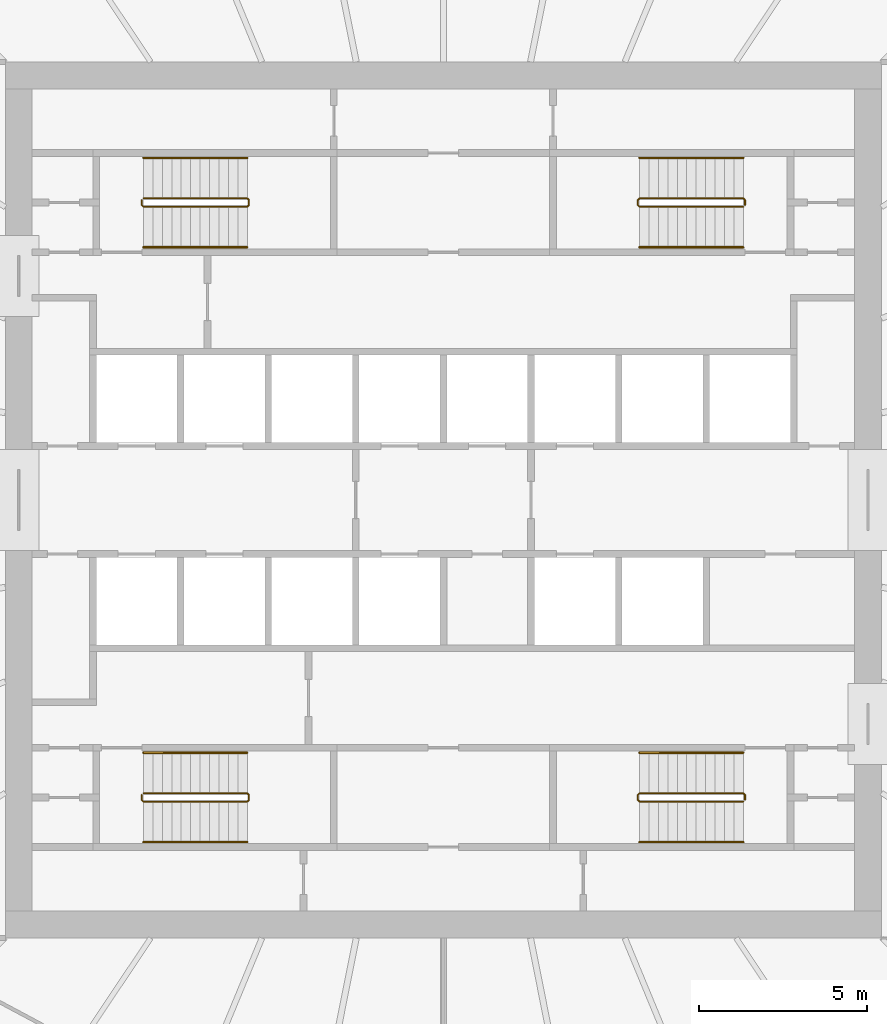
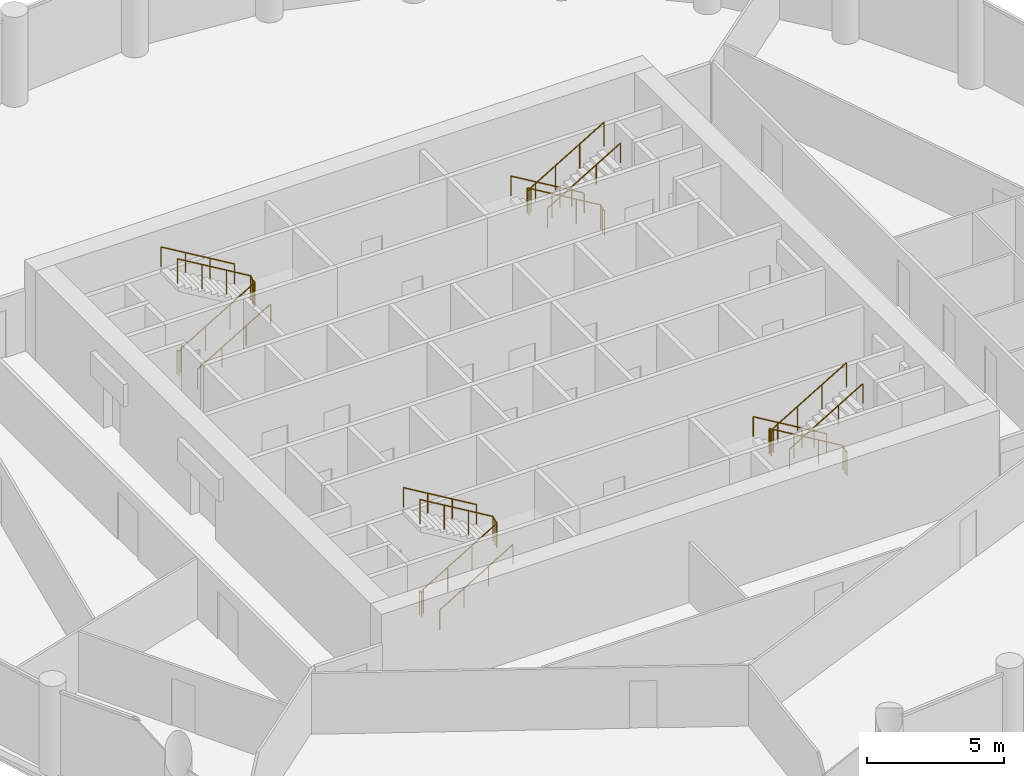
# One storey, part 8 of 8: 12 railings.
"""IFC4 building model written with IfcOpenShell, lengths in metres."""

from ifc_helpers import new_model, si_unit, direction, frame, origin, origin_2d, place, context, subcontext, project, spatial, circle, extrude, material, type_object, element, save


model = new_model("IFC4")

# Units and contexts
model_context = context("Model", 3, precision=1e-05, world=origin(), true_north=direction((0.0, 1.0)))
body_context = subcontext(model_context, "Body", "Model", "MODEL_VIEW")
ifc_project = project(units=[si_unit("LENGTHUNIT", "METRE"), si_unit("AREAUNIT", "SQUARE_METRE"), si_unit("VOLUMEUNIT", "CUBIC_METRE"), si_unit("PLANEANGLEUNIT", "RADIAN"), si_unit("MASSUNIT", "GRAM", prefix="KILO")], contexts=[model_context])

# Site, building, storey
site_placement = place(None, origin())
site = spatial("IfcSite", under=ifc_project, at=site_placement, CompositionType="ELEMENT")
building_placement = place(site_placement, origin())
building = spatial("IfcBuilding", under=site, at=building_placement, Name="Corvane Civic Tower", CompositionType="ELEMENT")
storey_placement = place(building_placement, frame((0.0, 0.0, 205.5)))
storey = spatial("IfcBuildingStorey", under=building, at=storey_placement, Name="L48", CompositionType="ELEMENT", Elevation=205.5)

# Railings
ifc_material_1 = material(Name="Steel ASTM A572 Gr 50", Category="steel")
railing_type_1 = type_object("IfcRailingType", Name="ST-GUARD-1100", PredefinedType="GUARDRAIL", material=ifc_material_1)
railing_1_placement = place(storey_placement, frame((8.949951171875, 8.75, 0.0)))
element("IfcRailing", 1, at=railing_1_placement, inside=storey, type_object=railing_type_1, Name="L48 ST1 stair guard 1", PredefinedType="GUARDRAIL", context=body_context, shape_type="SweptSolid", body=[
    extrude(circle(Radius=0.02392578125, at=origin_2d()), frame((0.0, 0.0, 1.076171875), z_axis=(0.0, 1.0, 0.0), x_axis=(-1.0, 0.0, 0.0)), (0.0, 0.0, 1.0), 0.14990234375),
    extrude(circle(Radius=0.02392578125, at=origin_2d()), frame((0.0, 0.14990234375, 1.076171875), z_axis=(-0.27628659633, 0.27628659633, 0.920506074601), x_axis=(-0.707106781187, -0.707106781187, 0.0)), (0.0, 0.0, 1.0), 0.18115234375),
    extrude(circle(Radius=0.02392578125, at=origin_2d()), frame((-0.050048828125, 0.199951171875, 1.24267578125), z_axis=(-0.859290745958, 0.0, 0.51148745235), x_axis=(0.0, -1.0, 0.0)), (0.0, 0.0, 1.0), 3.584228515625),
    extrude(circle(Radius=0.02392578125, at=origin_2d()), frame((-3.1298828125, 0.199951171875, 3.076171875), z_axis=(-0.707106781187, -0.707106781187, 0.0), x_axis=(0.707106781187, -0.707106781187, 0.0)), (0.0, 0.0, 1.0), 0.07080078125),
    extrude(circle(Radius=0.02392578125, at=origin_2d()), frame((-3.179931640625, 0.14990234375, 3.076171875), z_axis=(0.0, -1.0, 0.0), x_axis=(1.0, 0.0, 0.0)), (0.0, 0.0, 1.0), 0.14990234375),
    extrude(circle(Radius=0.02392578125, at=origin_2d()), frame((-3.179931640625, 0.0, 3.076171875), z_axis=(0.27628659633, -0.27628659633, 0.920506074601), x_axis=(0.707106781187, 0.707106781187, 0.0)), (0.0, 0.0, 1.0), 0.18115234375),
    extrude(circle(Radius=0.02392578125, at=origin_2d()), frame((-3.1298828125, -0.050048828125, 3.24267578125), z_axis=(0.859290745958, 0.0, 0.51148745235), x_axis=(0.0, 1.0, 0.0)), (0.0, 0.0, 1.0), 3.584228515625),
    extrude(circle(Radius=0.02099609375, at=origin_2d()), origin(), (0.0, 0.0, 1.0), 1.052001953125),
    extrude(circle(Radius=0.02099609375, at=origin_2d()), frame((0.0, 0.14990234375, 0.0)), (0.0, 0.0, 1.0), 1.052001953125),
    extrude(circle(Radius=0.02099609375, at=origin_2d()), frame((-0.050048828125, 0.199951171875, 0.166748046875)), (0.0, 0.0, 1.0), 1.052001953125),
    extrude(circle(Radius=0.02099609375, at=origin_2d()), frame((-1.07666015625, 0.199951171875, 0.77783203125)), (0.0, 0.0, 1.0), 1.052001953125),
    extrude(circle(Radius=0.02099609375, at=origin_2d()), frame((-2.103271484375, 0.199951171875, 1.388916015625)), (0.0, 0.0, 1.0), 1.052001953125),
    extrude(circle(Radius=0.02099609375, at=origin_2d()), frame((-3.1298828125, 0.199951171875, 2.0)), (0.0, 0.0, 1.0), 1.052001953125),
    extrude(circle(Radius=0.02099609375, at=origin_2d()), frame((-3.179931640625, 0.14990234375, 2.0)), (0.0, 0.0, 1.0), 1.052001953125),
    extrude(circle(Radius=0.02099609375, at=origin_2d()), frame((-3.179931640625, 0.0, 2.0)), (0.0, 0.0, 1.0), 1.052001953125),
    extrude(circle(Radius=0.02099609375, at=origin_2d()), frame((-3.1298828125, -0.050048828125, 2.166748046875)), (0.0, 0.0, 1.0), 1.052001953125),
    extrude(circle(Radius=0.02099609375, at=origin_2d()), frame((-2.103271484375, -0.050048828125, 2.77783203125)), (0.0, 0.0, 1.0), 1.052001953125),
    extrude(circle(Radius=0.02099609375, at=origin_2d()), frame((-1.07666015625, -0.050048828125, 3.388916015625)), (0.0, 0.0, 1.0), 1.052001953125),
    extrude(circle(Radius=0.02099609375, at=origin_2d()), frame((-0.050048828125, -0.050048828125, 4.0)), (0.0, 0.0, 1.0), 1.052001953125),
])
railing_2_placement = place(storey_placement, frame((8.949951171875, -8.89990234375, 0.0)))
element("IfcRailing", 2, at=railing_2_placement, inside=storey, type_object=railing_type_1, Name="L48 ST2 stair guard 1", PredefinedType="GUARDRAIL", context=body_context, shape_type="SweptSolid", body=[
    extrude(circle(Radius=0.02392578125, at=origin_2d()), frame((0.0, 0.0, 1.076171875), z_axis=(0.0, 1.0, 0.0), x_axis=(-1.0, 0.0, 0.0)), (0.0, 0.0, 1.0), 0.14990234375),
    extrude(circle(Radius=0.02392578125, at=origin_2d()), frame((0.0, 0.14990234375, 1.076171875), z_axis=(-0.27628659633, 0.27628659633, 0.920506074601), x_axis=(-0.707106781187, -0.707106781187, 0.0)), (0.0, 0.0, 1.0), 0.18115234375),
    extrude(circle(Radius=0.02392578125, at=origin_2d()), frame((-0.050048828125, 0.199951171875, 1.24267578125), z_axis=(-0.859290745958, 0.0, 0.51148745235), x_axis=(0.0, -1.0, 0.0)), (0.0, 0.0, 1.0), 3.584228515625),
    extrude(circle(Radius=0.02392578125, at=origin_2d()), frame((-3.1298828125, 0.199951171875, 3.076171875), z_axis=(-0.707106781187, -0.707106781187, 0.0), x_axis=(0.707106781187, -0.707106781187, 0.0)), (0.0, 0.0, 1.0), 0.07080078125),
    extrude(circle(Radius=0.02392578125, at=origin_2d()), frame((-3.179931640625, 0.14990234375, 3.076171875), z_axis=(0.0, -1.0, 0.0), x_axis=(1.0, 0.0, 0.0)), (0.0, 0.0, 1.0), 0.14990234375),
    extrude(circle(Radius=0.02392578125, at=origin_2d()), frame((-3.179931640625, 0.0, 3.076171875), z_axis=(0.27628659633, -0.27628659633, 0.920506074601), x_axis=(0.707106781187, 0.707106781187, 0.0)), (0.0, 0.0, 1.0), 0.18115234375),
    extrude(circle(Radius=0.02392578125, at=origin_2d()), frame((-3.1298828125, -0.050048828125, 3.24267578125), z_axis=(0.859290745958, 0.0, 0.51148745235), x_axis=(0.0, 1.0, 0.0)), (0.0, 0.0, 1.0), 3.584228515625),
    extrude(circle(Radius=0.02099609375, at=origin_2d()), origin(), (0.0, 0.0, 1.0), 1.052001953125),
    extrude(circle(Radius=0.02099609375, at=origin_2d()), frame((0.0, 0.14990234375, 0.0)), (0.0, 0.0, 1.0), 1.052001953125),
    extrude(circle(Radius=0.02099609375, at=origin_2d()), frame((-0.050048828125, 0.199951171875, 0.166748046875)), (0.0, 0.0, 1.0), 1.052001953125),
    extrude(circle(Radius=0.02099609375, at=origin_2d()), frame((-1.07666015625, 0.199951171875, 0.77783203125)), (0.0, 0.0, 1.0), 1.052001953125),
    extrude(circle(Radius=0.02099609375, at=origin_2d()), frame((-2.103271484375, 0.199951171875, 1.388916015625)), (0.0, 0.0, 1.0), 1.052001953125),
    extrude(circle(Radius=0.02099609375, at=origin_2d()), frame((-3.1298828125, 0.199951171875, 2.0)), (0.0, 0.0, 1.0), 1.052001953125),
    extrude(circle(Radius=0.02099609375, at=origin_2d()), frame((-3.179931640625, 0.14990234375, 2.0)), (0.0, 0.0, 1.0), 1.052001953125),
    extrude(circle(Radius=0.02099609375, at=origin_2d()), frame((-3.179931640625, 0.0, 2.0)), (0.0, 0.0, 1.0), 1.052001953125),
    extrude(circle(Radius=0.02099609375, at=origin_2d()), frame((-3.1298828125, -0.050048828125, 2.166748046875)), (0.0, 0.0, 1.0), 1.052001953125),
    extrude(circle(Radius=0.02099609375, at=origin_2d()), frame((-2.103271484375, -0.050048828125, 2.77783203125)), (0.0, 0.0, 1.0), 1.052001953125),
    extrude(circle(Radius=0.02099609375, at=origin_2d()), frame((-1.07666015625, -0.050048828125, 3.388916015625)), (0.0, 0.0, 1.0), 1.052001953125),
    extrude(circle(Radius=0.02099609375, at=origin_2d()), frame((-0.050048828125, -0.050048828125, 4.0)), (0.0, 0.0, 1.0), 1.052001953125),
])
railing_3_placement = place(storey_placement, frame((-8.949951171875, -8.75, 0.0)))
element("IfcRailing", 3, at=railing_3_placement, inside=storey, type_object=railing_type_1, Name="L48 ST3 stair guard 1", PredefinedType="GUARDRAIL", context=body_context, shape_type="SweptSolid", body=[
    extrude(circle(Radius=0.02392578125, at=origin_2d()), frame((0.0, 0.0, 1.076171875), z_axis=(0.0, -1.0, 0.0), x_axis=(1.0, 0.0, 0.0)), (0.0, 0.0, 1.0), 0.14990234375),
    extrude(circle(Radius=0.02392578125, at=origin_2d()), frame((0.0, -0.14990234375, 1.076171875), z_axis=(0.27628659633, -0.27628659633, 0.920506074601), x_axis=(0.707106781187, 0.707106781187, 0.0)), (0.0, 0.0, 1.0), 0.18115234375),
    extrude(circle(Radius=0.02392578125, at=origin_2d()), frame((0.050048828125, -0.199951171875, 1.24267578125), z_axis=(0.859290745958, 0.0, 0.51148745235), x_axis=(0.0, 1.0, 0.0)), (0.0, 0.0, 1.0), 3.584228515625),
    extrude(circle(Radius=0.02392578125, at=origin_2d()), frame((3.1298828125, -0.199951171875, 3.076171875), z_axis=(0.707106781187, 0.707106781187, 0.0), x_axis=(-0.707106781187, 0.707106781187, 0.0)), (0.0, 0.0, 1.0), 0.07080078125),
    extrude(circle(Radius=0.02392578125, at=origin_2d()), frame((3.179931640625, -0.14990234375, 3.076171875), z_axis=(0.0, 1.0, 0.0), x_axis=(-1.0, 0.0, 0.0)), (0.0, 0.0, 1.0), 0.14990234375),
    extrude(circle(Radius=0.02392578125, at=origin_2d()), frame((3.179931640625, 0.0, 3.076171875), z_axis=(-0.27628659633, 0.27628659633, 0.920506074601), x_axis=(-0.707106781187, -0.707106781187, 0.0)), (0.0, 0.0, 1.0), 0.18115234375),
    extrude(circle(Radius=0.02392578125, at=origin_2d()), frame((3.1298828125, 0.050048828125, 3.24267578125), z_axis=(-0.859290745958, 0.0, 0.51148745235), x_axis=(0.0, -1.0, 0.0)), (0.0, 0.0, 1.0), 3.584228515625),
    extrude(circle(Radius=0.02099609375, at=origin_2d()), origin(), (0.0, 0.0, 1.0), 1.052001953125),
    extrude(circle(Radius=0.02099609375, at=origin_2d()), frame((0.0, -0.14990234375, 0.0)), (0.0, 0.0, 1.0), 1.052001953125),
    extrude(circle(Radius=0.02099609375, at=origin_2d()), frame((0.050048828125, -0.199951171875, 0.166748046875)), (0.0, 0.0, 1.0), 1.052001953125),
    extrude(circle(Radius=0.02099609375, at=origin_2d()), frame((1.07666015625, -0.199951171875, 0.77783203125)), (0.0, 0.0, 1.0), 1.052001953125),
    extrude(circle(Radius=0.02099609375, at=origin_2d()), frame((2.103271484375, -0.199951171875, 1.388916015625)), (0.0, 0.0, 1.0), 1.052001953125),
    extrude(circle(Radius=0.02099609375, at=origin_2d()), frame((3.1298828125, -0.199951171875, 2.0)), (0.0, 0.0, 1.0), 1.052001953125),
    extrude(circle(Radius=0.02099609375, at=origin_2d()), frame((3.179931640625, -0.14990234375, 2.0)), (0.0, 0.0, 1.0), 1.052001953125),
    extrude(circle(Radius=0.02099609375, at=origin_2d()), frame((3.179931640625, 0.0, 2.0)), (0.0, 0.0, 1.0), 1.052001953125),
    extrude(circle(Radius=0.02099609375, at=origin_2d()), frame((3.1298828125, 0.050048828125, 2.166748046875)), (0.0, 0.0, 1.0), 1.052001953125),
    extrude(circle(Radius=0.02099609375, at=origin_2d()), frame((2.103271484375, 0.050048828125, 2.77783203125)), (0.0, 0.0, 1.0), 1.052001953125),
    extrude(circle(Radius=0.02099609375, at=origin_2d()), frame((1.07666015625, 0.050048828125, 3.388916015625)), (0.0, 0.0, 1.0), 1.052001953125),
    extrude(circle(Radius=0.02099609375, at=origin_2d()), frame((0.050048828125, 0.050048828125, 4.0)), (0.0, 0.0, 1.0), 1.052001953125),
])
railing_4_placement = place(storey_placement, frame((-8.949951171875, 8.89990234375, 0.0)))
element("IfcRailing", 4, at=railing_4_placement, inside=storey, type_object=railing_type_1, Name="L48 ST4 stair guard 1", PredefinedType="GUARDRAIL", context=body_context, shape_type="SweptSolid", body=[
    extrude(circle(Radius=0.02392578125, at=origin_2d()), frame((0.0, 0.0, 1.076171875), z_axis=(0.0, -1.0, 0.0), x_axis=(1.0, 0.0, 0.0)), (0.0, 0.0, 1.0), 0.14990234375),
    extrude(circle(Radius=0.02392578125, at=origin_2d()), frame((0.0, -0.14990234375, 1.076171875), z_axis=(0.27628659633, -0.27628659633, 0.920506074601), x_axis=(0.707106781187, 0.707106781187, 0.0)), (0.0, 0.0, 1.0), 0.18115234375),
    extrude(circle(Radius=0.02392578125, at=origin_2d()), frame((0.050048828125, -0.199951171875, 1.24267578125), z_axis=(0.859290745958, 0.0, 0.51148745235), x_axis=(0.0, 1.0, 0.0)), (0.0, 0.0, 1.0), 3.584228515625),
    extrude(circle(Radius=0.02392578125, at=origin_2d()), frame((3.1298828125, -0.199951171875, 3.076171875), z_axis=(0.707106781187, 0.707106781187, 0.0), x_axis=(-0.707106781187, 0.707106781187, 0.0)), (0.0, 0.0, 1.0), 0.07080078125),
    extrude(circle(Radius=0.02392578125, at=origin_2d()), frame((3.179931640625, -0.14990234375, 3.076171875), z_axis=(0.0, 1.0, 0.0), x_axis=(-1.0, 0.0, 0.0)), (0.0, 0.0, 1.0), 0.14990234375),
    extrude(circle(Radius=0.02392578125, at=origin_2d()), frame((3.179931640625, 0.0, 3.076171875), z_axis=(-0.27628659633, 0.27628659633, 0.920506074601), x_axis=(-0.707106781187, -0.707106781187, 0.0)), (0.0, 0.0, 1.0), 0.18115234375),
    extrude(circle(Radius=0.02392578125, at=origin_2d()), frame((3.1298828125, 0.050048828125, 3.24267578125), z_axis=(-0.859290745958, 0.0, 0.51148745235), x_axis=(0.0, -1.0, 0.0)), (0.0, 0.0, 1.0), 3.584228515625),
    extrude(circle(Radius=0.02099609375, at=origin_2d()), origin(), (0.0, 0.0, 1.0), 1.052001953125),
    extrude(circle(Radius=0.02099609375, at=origin_2d()), frame((0.0, -0.14990234375, 0.0)), (0.0, 0.0, 1.0), 1.052001953125),
    extrude(circle(Radius=0.02099609375, at=origin_2d()), frame((0.050048828125, -0.199951171875, 0.166748046875)), (0.0, 0.0, 1.0), 1.052001953125),
    extrude(circle(Radius=0.02099609375, at=origin_2d()), frame((1.07666015625, -0.199951171875, 0.77783203125)), (0.0, 0.0, 1.0), 1.052001953125),
    extrude(circle(Radius=0.02099609375, at=origin_2d()), frame((2.103271484375, -0.199951171875, 1.388916015625)), (0.0, 0.0, 1.0), 1.052001953125),
    extrude(circle(Radius=0.02099609375, at=origin_2d()), frame((3.1298828125, -0.199951171875, 2.0)), (0.0, 0.0, 1.0), 1.052001953125),
    extrude(circle(Radius=0.02099609375, at=origin_2d()), frame((3.179931640625, -0.14990234375, 2.0)), (0.0, 0.0, 1.0), 1.052001953125),
    extrude(circle(Radius=0.02099609375, at=origin_2d()), frame((3.179931640625, 0.0, 2.0)), (0.0, 0.0, 1.0), 1.052001953125),
    extrude(circle(Radius=0.02099609375, at=origin_2d()), frame((3.1298828125, 0.050048828125, 2.166748046875)), (0.0, 0.0, 1.0), 1.052001953125),
    extrude(circle(Radius=0.02099609375, at=origin_2d()), frame((2.103271484375, 0.050048828125, 2.77783203125)), (0.0, 0.0, 1.0), 1.052001953125),
    extrude(circle(Radius=0.02099609375, at=origin_2d()), frame((1.07666015625, 0.050048828125, 3.388916015625)), (0.0, 0.0, 1.0), 1.052001953125),
    extrude(circle(Radius=0.02099609375, at=origin_2d()), frame((0.050048828125, 0.050048828125, 4.0)), (0.0, 0.0, 1.0), 1.052001953125),
])
ifc_material_2 = material(Name="Steel ASTM A572 Gr 50", Category="steel")
railing_type_2 = type_object("IfcRailingType", Name="ST-HANDRAIL-900", PredefinedType="HANDRAIL", material=ifc_material_2)
railing_5_placement = place(storey_placement, frame((8.89990234375, 10.14990234375, 0.166748046875)))
element("IfcRailing", 5, at=railing_5_placement, inside=storey, type_object=railing_type_2, Name="L48 ST1 stair handrail 1", PredefinedType="HANDRAIL", context=body_context, shape_type="SweptSolid", body=[
    extrude(circle(Radius=0.02392578125, at=origin_2d()), frame((0.0, 0.0, 0.8759765625), z_axis=(-0.859290745958, 0.0, 0.51148745235), x_axis=(0.0, -1.0, 0.0)), (0.0, 0.0, 1.0), 3.584228515625),
    extrude(circle(Radius=0.02099609375, at=origin_2d()), origin(), (0.0, 0.0, 1.0), 0.851806640625),
    extrude(circle(Radius=0.02099609375, at=origin_2d()), frame((-1.026611328125, 0.0, 0.611083984375)), (0.0, 0.0, 1.0), 0.851806640625),
    extrude(circle(Radius=0.02099609375, at=origin_2d()), frame((-2.05322265625, 0.0, 1.22216796875)), (0.0, 0.0, 1.0), 0.851806640625),
    extrude(circle(Radius=0.02099609375, at=origin_2d()), frame((-3.079833984375, 0.0, 1.833251953125)), (0.0, 0.0, 1.0), 0.851806640625),
])
railing_6_placement = place(storey_placement, frame((5.820068359375, 7.5, 2.166748046875)))
element("IfcRailing", 6, at=railing_6_placement, inside=storey, type_object=railing_type_2, Name="L48 ST1 stair handrail 2", PredefinedType="HANDRAIL", context=body_context, shape_type="SweptSolid", body=[
    extrude(circle(Radius=0.02392578125, at=origin_2d()), frame((0.0, 0.0, 0.8759765625), z_axis=(0.859290745958, 0.0, 0.51148745235), x_axis=(0.0, 1.0, 0.0)), (0.0, 0.0, 1.0), 3.584228515625),
    extrude(circle(Radius=0.02099609375, at=origin_2d()), origin(), (0.0, 0.0, 1.0), 0.851806640625),
    extrude(circle(Radius=0.02099609375, at=origin_2d()), frame((1.026611328125, 0.0, 0.611083984375)), (0.0, 0.0, 1.0), 0.851806640625),
    extrude(circle(Radius=0.02099609375, at=origin_2d()), frame((2.05322265625, 0.0, 1.22216796875)), (0.0, 0.0, 1.0), 0.851806640625),
    extrude(circle(Radius=0.02099609375, at=origin_2d()), frame((3.079833984375, 0.0, 1.833251953125)), (0.0, 0.0, 1.0), 0.851806640625),
])
railing_7_placement = place(storey_placement, frame((8.89990234375, -7.5, 0.166748046875)))
element("IfcRailing", 7, at=railing_7_placement, inside=storey, type_object=railing_type_2, Name="L48 ST2 stair handrail 1", PredefinedType="HANDRAIL", context=body_context, shape_type="SweptSolid", body=[
    extrude(circle(Radius=0.02392578125, at=origin_2d()), frame((0.0, 0.0, 0.8759765625), z_axis=(-0.859290745958, 0.0, 0.51148745235), x_axis=(0.0, -1.0, 0.0)), (0.0, 0.0, 1.0), 3.584228515625),
    extrude(circle(Radius=0.02099609375, at=origin_2d()), origin(), (0.0, 0.0, 1.0), 0.851806640625),
    extrude(circle(Radius=0.02099609375, at=origin_2d()), frame((-1.026611328125, 0.0, 0.611083984375)), (0.0, 0.0, 1.0), 0.851806640625),
    extrude(circle(Radius=0.02099609375, at=origin_2d()), frame((-2.05322265625, 0.0, 1.22216796875)), (0.0, 0.0, 1.0), 0.851806640625),
    extrude(circle(Radius=0.02099609375, at=origin_2d()), frame((-3.079833984375, 0.0, 1.833251953125)), (0.0, 0.0, 1.0), 0.851806640625),
])
for number, where, name in (
    (8, (5.820068359375, -10.14990234375, 2.166748046875), "L48 ST2 stair handrail 2"),
    (9, (-8.89990234375, -10.14990234375, 0.166748046875), "L48 ST3 stair handrail 1"),
):
    element("IfcRailing", number, at=place(storey_placement, frame(where)), inside=storey, type_object=railing_type_2, Name=name, PredefinedType="HANDRAIL", context=body_context, shape_type="SweptSolid", body=[
        extrude(circle(Radius=0.02392578125, at=origin_2d()), frame((0.0, 0.0, 0.8759765625), z_axis=(0.859290745958, 0.0, 0.51148745235), x_axis=(0.0, 1.0, 0.0)), (0.0, 0.0, 1.0), 3.584228515625),
        extrude(circle(Radius=0.02099609375, at=origin_2d()), origin(), (0.0, 0.0, 1.0), 0.851806640625),
        extrude(circle(Radius=0.02099609375, at=origin_2d()), frame((1.026611328125, 0.0, 0.611083984375)), (0.0, 0.0, 1.0), 0.851806640625),
        extrude(circle(Radius=0.02099609375, at=origin_2d()), frame((2.05322265625, 0.0, 1.22216796875)), (0.0, 0.0, 1.0), 0.851806640625),
        extrude(circle(Radius=0.02099609375, at=origin_2d()), frame((3.079833984375, 0.0, 1.833251953125)), (0.0, 0.0, 1.0), 0.851806640625),
    ])
railing_8_placement = place(storey_placement, frame((-5.820068359375, -7.5, 2.166748046875)))
element("IfcRailing", 10, at=railing_8_placement, inside=storey, type_object=railing_type_2, Name="L48 ST3 stair handrail 2", PredefinedType="HANDRAIL", context=body_context, shape_type="SweptSolid", body=[
    extrude(circle(Radius=0.02392578125, at=origin_2d()), frame((0.0, 0.0, 0.8759765625), z_axis=(-0.859290745958, 0.0, 0.51148745235), x_axis=(0.0, -1.0, 0.0)), (0.0, 0.0, 1.0), 3.584228515625),
    extrude(circle(Radius=0.02099609375, at=origin_2d()), origin(), (0.0, 0.0, 1.0), 0.851806640625),
    extrude(circle(Radius=0.02099609375, at=origin_2d()), frame((-1.026611328125, 0.0, 0.611083984375)), (0.0, 0.0, 1.0), 0.851806640625),
    extrude(circle(Radius=0.02099609375, at=origin_2d()), frame((-2.05322265625, 0.0, 1.22216796875)), (0.0, 0.0, 1.0), 0.851806640625),
    extrude(circle(Radius=0.02099609375, at=origin_2d()), frame((-3.079833984375, 0.0, 1.833251953125)), (0.0, 0.0, 1.0), 0.851806640625),
])
railing_9_placement = place(storey_placement, frame((-8.89990234375, 7.5, 0.166748046875)))
element("IfcRailing", 11, at=railing_9_placement, inside=storey, type_object=railing_type_2, Name="L48 ST4 stair handrail 1", PredefinedType="HANDRAIL", context=body_context, shape_type="SweptSolid", body=[
    extrude(circle(Radius=0.02392578125, at=origin_2d()), frame((0.0, 0.0, 0.8759765625), z_axis=(0.859290745958, 0.0, 0.51148745235), x_axis=(0.0, 1.0, 0.0)), (0.0, 0.0, 1.0), 3.584228515625),
    extrude(circle(Radius=0.02099609375, at=origin_2d()), origin(), (0.0, 0.0, 1.0), 0.851806640625),
    extrude(circle(Radius=0.02099609375, at=origin_2d()), frame((1.026611328125, 0.0, 0.611083984375)), (0.0, 0.0, 1.0), 0.851806640625),
    extrude(circle(Radius=0.02099609375, at=origin_2d()), frame((2.05322265625, 0.0, 1.22216796875)), (0.0, 0.0, 1.0), 0.851806640625),
    extrude(circle(Radius=0.02099609375, at=origin_2d()), frame((3.079833984375, 0.0, 1.833251953125)), (0.0, 0.0, 1.0), 0.851806640625),
])
railing_10_placement = place(storey_placement, frame((-5.820068359375, 10.14990234375, 2.166748046875)))
element("IfcRailing", 12, at=railing_10_placement, inside=storey, type_object=railing_type_2, Name="L48 ST4 stair handrail 2", PredefinedType="HANDRAIL", context=body_context, shape_type="SweptSolid", body=[
    extrude(circle(Radius=0.02392578125, at=origin_2d()), frame((0.0, 0.0, 0.8759765625), z_axis=(-0.859290745958, 0.0, 0.51148745235), x_axis=(0.0, -1.0, 0.0)), (0.0, 0.0, 1.0), 3.584228515625),
    extrude(circle(Radius=0.02099609375, at=origin_2d()), origin(), (0.0, 0.0, 1.0), 0.851806640625),
    extrude(circle(Radius=0.02099609375, at=origin_2d()), frame((-1.026611328125, 0.0, 0.611083984375)), (0.0, 0.0, 1.0), 0.851806640625),
    extrude(circle(Radius=0.02099609375, at=origin_2d()), frame((-2.05322265625, 0.0, 1.22216796875)), (0.0, 0.0, 1.0), 0.851806640625),
    extrude(circle(Radius=0.02099609375, at=origin_2d()), frame((-3.079833984375, 0.0, 1.833251953125)), (0.0, 0.0, 1.0), 0.851806640625),
])

save(model, "model.ifc")
